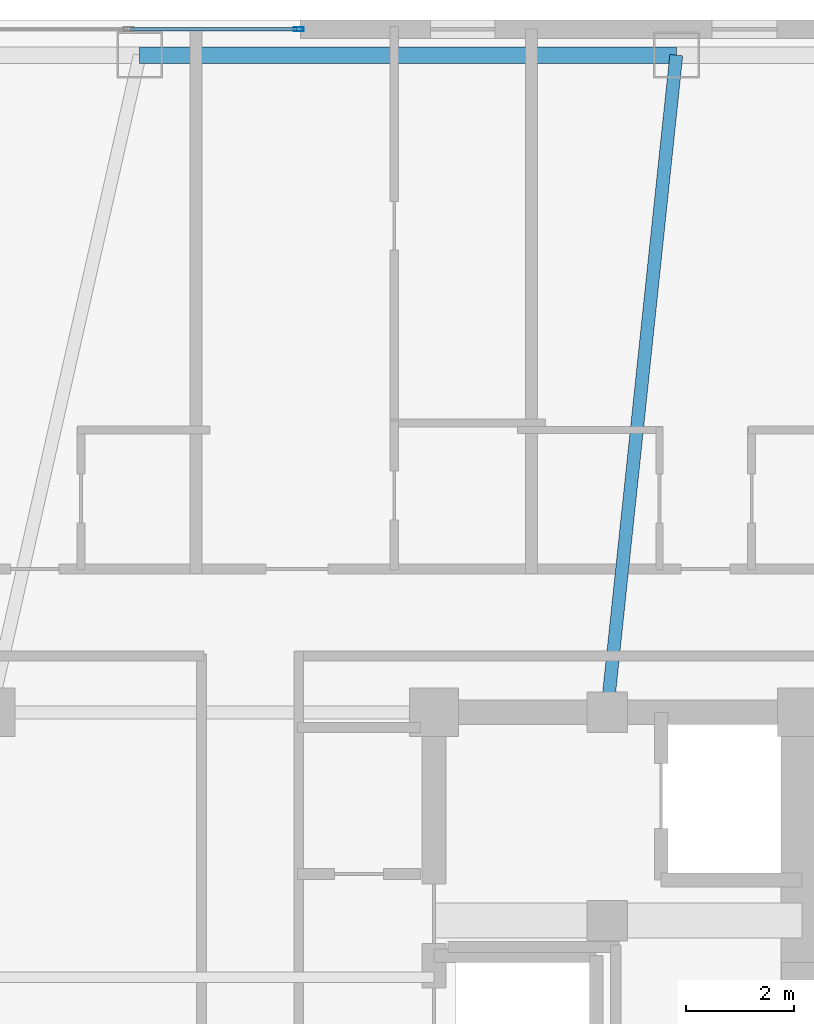
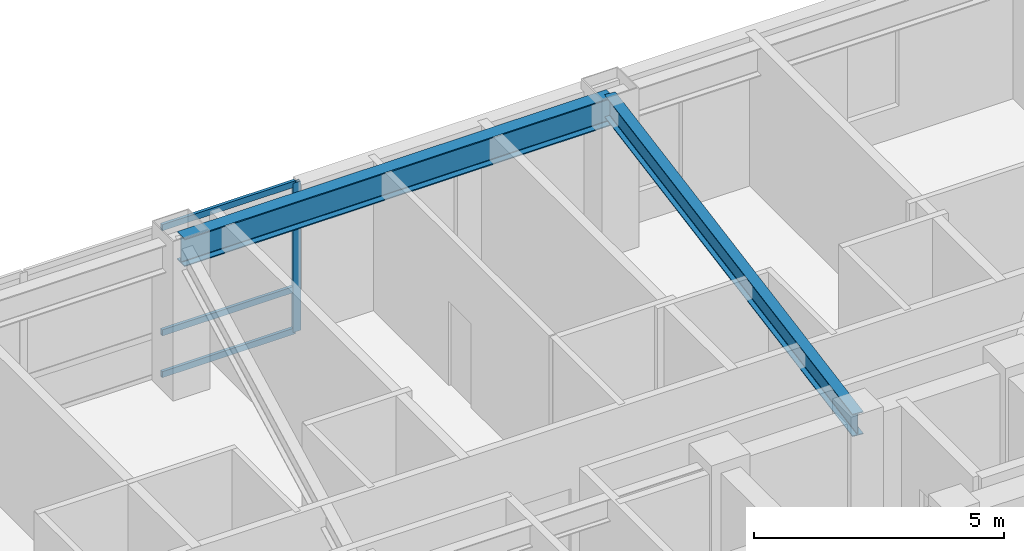
# One storey, part 19 of 29: 4 members, 2 beams, 1 element without a shape of its own.
"""IFC4 building model written with IfcOpenShell, lengths in metres."""

from ifc_helpers import new_model, si_unit, direction, frame, origin, origin_2d, place, context, subcontext, project, spatial, hollow_rectangle, i_section, extrude, material, layer, layer_set, material_profile, profile_set, type_object, element, aggregate, save


model = new_model("IFC4")

# Units and contexts
model_context = context("Model", 3, precision=1e-05, world=origin(), true_north=direction((0.0, 1.0)))
body_context = subcontext(model_context, "Body", "Model", "MODEL_VIEW")
ifc_project = project(units=[si_unit("LENGTHUNIT", "METRE"), si_unit("AREAUNIT", "SQUARE_METRE"), si_unit("VOLUMEUNIT", "CUBIC_METRE"), si_unit("PLANEANGLEUNIT", "RADIAN"), si_unit("MASSUNIT", "GRAM", prefix="KILO")], contexts=[model_context])

# Site, building, storey
site_placement = place(None, origin())
site = spatial("IfcSite", under=ifc_project, at=site_placement, CompositionType="ELEMENT")
building_placement = place(site_placement, origin())
building = spatial("IfcBuilding", under=site, at=building_placement, Name="Voryun Gate Residences", CompositionType="ELEMENT")
storey_placement = place(building_placement, frame((0.0, 0.0, 211.89990234375)))
storey = spatial("IfcBuildingStorey", under=building, at=storey_placement, Name="L52", CompositionType="ELEMENT", Elevation=211.89990234375)

# Beams
ifc_material_1 = material(Name="Steel SM355", Category="steel")
ifc_material_profile_1 = material_profile(ifc_material_1, i_section(OverallWidth=0.300048828125, OverallDepth=0.679931640625, WebThickness=0.013916015625, FlangeThickness=0.02490234375, FilletRadius=0.01806640625, at=origin_2d()), Name="H-680x300x14x25")
ifc_profile_set_1 = profile_set([ifc_material_profile_1], Name="Steel SM355")
beam_type_1 = type_object("IfcBeamType", Name="BM_EXO_SPANDREL_M", PredefinedType="SPANDREL", material=ifc_profile_set_1)
beam_1_placement = place(storey_placement, frame((16.8798828125, 19.550048828125, 3.31005859375), z_axis=(-1.0, 0.0, 0.0), x_axis=(0.0, -1.0, 0.0)))
element("IfcBeam", 1, at=beam_1_placement, inside=storey, type_object=beam_type_1, Name="BM-L52-SPAND-12", PredefinedType="SPANDREL", context=body_context, shape_type="SweptSolid", body=[
    extrude(i_section(OverallWidth=0.300048828125, OverallDepth=0.679931640625, WebThickness=0.013916015625, FlangeThickness=0.02490234375, FilletRadius=0.01806640625, at=origin_2d()), origin(), (0.0, 0.0, 1.0), 9.919921875),
])
ifc_material_2 = material(Name="Steel SM355", Category="steel")
ifc_material_profile_2 = material_profile(ifc_material_2, i_section(OverallWidth=0.239990234375, OverallDepth=0.550048828125, WebThickness=0.011962890625, FlangeThickness=0.02001953125, FilletRadius=0.01806640625, at=origin_2d()), Name="H-550x240x12x20")
ifc_profile_set_2 = profile_set([ifc_material_profile_2], Name="Steel SM355")
beam_type_2 = type_object("IfcBeamType", Name="BM_GIRD_550", PredefinedType="USERDEFINED", material=ifc_profile_set_2)
beam_2_placement = place(storey_placement, frame((15.60009765625, 7.39990234375, 3.375), z_axis=(0.104751358085, 0.994498442925, 0.0), x_axis=(-0.994498442925, 0.104751358085, 0.0)))
element("IfcBeam", 2, at=beam_2_placement, inside=storey, type_object=beam_type_2, Name="BM-L52-RAD-N2", ObjectType="GIRDER", PredefinedType="USERDEFINED", context=body_context, shape_type="SweptSolid", body=[
    extrude(i_section(OverallWidth=0.239990234375, OverallDepth=0.550048828125, WebThickness=0.011962890625, FlangeThickness=0.02001953125, FilletRadius=0.01806640625, at=origin_2d()), origin(), (0.0, 0.0, 1.0), 12.21728515625),
])

# Curtain wall, members
ifc_material_3 = material(Name="Anodised aluminium", Category="aluminium")
ifc_layer = layer(ifc_material_3, 0.18994140625, Name="CW_SYS_RES_B_DARK_GLASS")
ifc_layer_set = layer_set([ifc_layer], Name="Anodised aluminium")
curtain_wall_type = type_object("IfcCurtainWallType", Name="CW_SYS_RES_B_DARK_GLASS", PredefinedType="NOTDEFINED", material=ifc_layer_set)
curtain_wall_placement = place(storey_placement, origin())
curtain_wall = element("IfcCurtainWall", 3, at=curtain_wall_placement, inside=storey, type_object=curtain_wall_type, Name="Curtain wall CWT-L52-11", PredefinedType="NOTDEFINED")
ifc_material_4 = material(Name="Anodised aluminium", Category="aluminium")
ifc_material_profile_3 = material_profile(ifc_material_4, hollow_rectangle(XDim=0.070068359375, YDim=0.179931640625, WallThickness=0.00390625, at=origin_2d()), Name="ALU-MULL-180x70x4")
ifc_profile_set_3 = profile_set([ifc_material_profile_3], Name="Anodised aluminium")
member_type_1 = type_object("IfcMemberType", Name="CW_MULL_RES", PredefinedType="MULLION", material=ifc_profile_set_3)
member_1_placement = place(storey_placement, frame((9.900634765625, 20.030029296875, 0.0), z_axis=(0.0, 0.0, 1.0), x_axis=(0.0, 1.0, 0.0)))
member_1 = element("IfcMember", 4, at=member_1_placement, type_object=member_type_1, Name="CW4 mullion 6", PredefinedType="MULLION", context=body_context, shape_type="SweptSolid", body=[
    extrude(hollow_rectangle(XDim=0.070068359375, YDim=0.179931640625, WallThickness=0.00390625, at=origin_2d()), origin(), (0.0, 0.0, 1.0), 3.650146484375),
])
ifc_material_5 = material(Name="Anodised aluminium", Category="aluminium")
ifc_material_profile_4 = material_profile(ifc_material_5, hollow_rectangle(XDim=0.070068359375, YDim=0.14990234375, WallThickness=0.00390625, at=origin_2d()), Name="ALU-TRAN-150x70x4")
ifc_profile_set_4 = profile_set([ifc_material_profile_4], Name="Anodised aluminium")
member_type_2 = type_object("IfcMemberType", Name="CW_TRAN_RES", PredefinedType="USERDEFINED", material=ifc_profile_set_4)
member_2_placement = place(storey_placement, frame((6.788330078125, 20.030029296875, 0.030029296875), z_axis=(1.0, 0.0, 0.0), x_axis=(0.0, 1.0, 0.0)))
member_2 = element("IfcMember", 5, at=member_2_placement, type_object=member_type_2, Name="CW4 transom 5.1", ObjectType="TRANSOM", PredefinedType="USERDEFINED", context=body_context, shape_type="SweptSolid", body=[
    extrude(hollow_rectangle(XDim=0.070068359375, YDim=0.14990234375, WallThickness=0.00390625, at=origin_2d()), origin(), (0.0, 0.0, 1.0), 3.082275390625),
])
member_3_placement = place(storey_placement, frame((6.788330078125, 20.030029296875, 1.050048828125), z_axis=(1.0, 0.0, 0.0), x_axis=(0.0, 1.0, 0.0)))
member_3 = element("IfcMember", 6, at=member_3_placement, type_object=member_type_2, Name="CW4 transom 5.2", ObjectType="TRANSOM", PredefinedType="USERDEFINED", context=body_context, shape_type="SweptSolid", body=[
    extrude(hollow_rectangle(XDim=0.070068359375, YDim=0.14990234375, WallThickness=0.00390625, at=origin_2d()), origin(), (0.0, 0.0, 1.0), 3.082275390625),
])
member_4_placement = place(storey_placement, frame((6.788330078125, 20.030029296875, 3.6201171875), z_axis=(1.0, 0.0, 0.0), x_axis=(0.0, 1.0, 0.0)))
member_4 = element("IfcMember", 7, at=member_4_placement, type_object=member_type_2, Name="CW4 transom 5.3", ObjectType="TRANSOM", PredefinedType="USERDEFINED", context=body_context, shape_type="SweptSolid", body=[
    extrude(hollow_rectangle(XDim=0.070068359375, YDim=0.14990234375, WallThickness=0.00390625, at=origin_2d()), origin(), (0.0, 0.0, 1.0), 3.082275390625),
])
aggregate(curtain_wall, [member_1, member_2, member_3, member_4])

save(model, "model.ifc")
